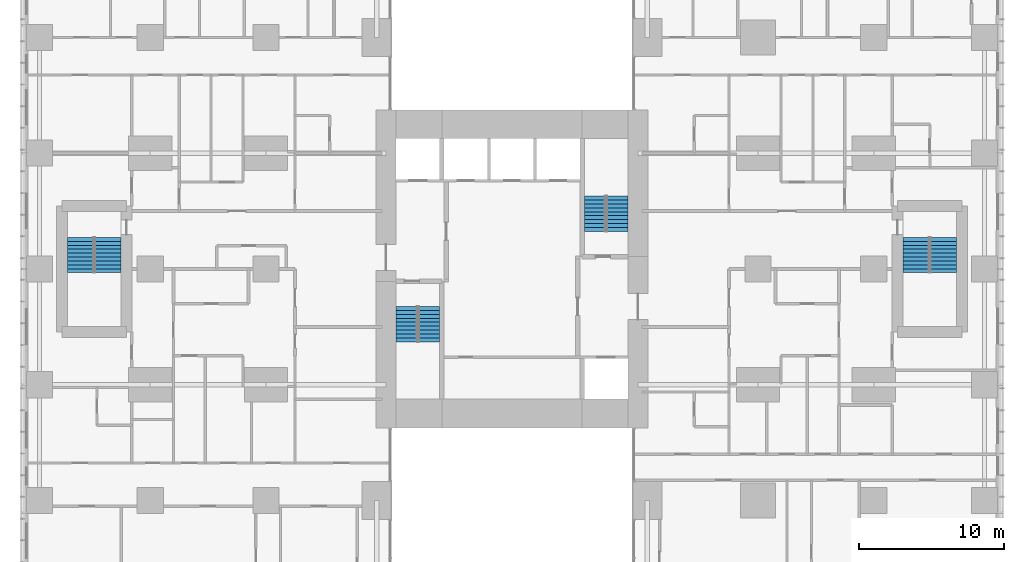
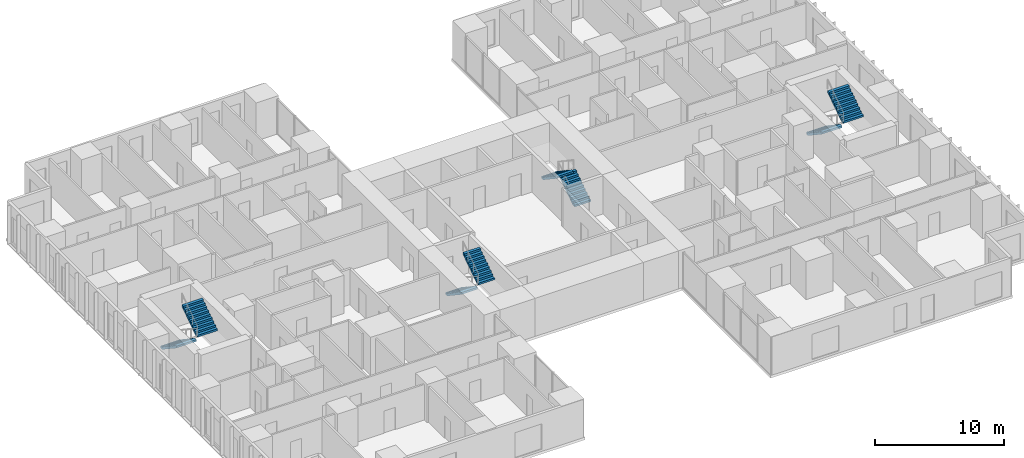
# One storey, part 19 of 20: 8 stair flights, 4 elements without a shape of their own.
"""IFC4 building model written with IfcOpenShell, lengths in metres."""

from ifc_helpers import new_model, si_unit, direction, frame, origin, place, context, subcontext, project, spatial, polyline, outline, extrude, material, type_object, element, aggregate, save


model = new_model("IFC4")

# Units and contexts
model_context = context("Model", 3, precision=1e-05, world=origin(), true_north=direction((0.0, 1.0)))
body_context = subcontext(model_context, "Body", "Model", "MODEL_VIEW")
ifc_project = project(units=[si_unit("LENGTHUNIT", "METRE"), si_unit("AREAUNIT", "SQUARE_METRE"), si_unit("VOLUMEUNIT", "CUBIC_METRE"), si_unit("PLANEANGLEUNIT", "RADIAN"), si_unit("MASSUNIT", "GRAM", prefix="KILO")], contexts=[model_context])

# Site, building, storey
site_placement = place(None, origin())
site = spatial("IfcSite", under=ifc_project, at=site_placement, CompositionType="ELEMENT")
building_placement = place(site_placement, origin())
building = spatial("IfcBuilding", under=site, at=building_placement, Name="Cleftline Residences", CompositionType="ELEMENT")
storey_placement = place(building_placement, frame((0.0, 0.0, 189.39990234375)))
storey = spatial("IfcBuildingStorey", under=building, at=storey_placement, Name="L49", CompositionType="ELEMENT", Elevation=189.39990234375)

# Stair, stair flights
ifc_material_1 = material(Name="Concrete B45, stone treads", Category="masonry")
stair_type_1 = type_object("IfcStairType", Name="STAIR A 1450 WIDE 180 RISER", PredefinedType="HALF_TURN_STAIR", material=ifc_material_1)
stair_1_placement = place(storey_placement, origin())
stair_1 = element("IfcStair", 1, at=stair_1_placement, inside=storey, type_object=stair_type_1, Name="Stair A L49", PredefinedType="HALF_TURN_STAIR")
ifc_material_2 = material(Name="Concrete B45", Category="concrete")
stair_flight_type_1 = type_object("IfcStairFlightType", Name="STAIR A FLIGHT 1450X180", PredefinedType="STRAIGHT", material=ifc_material_2)
stair_flight_1_placement = place(storey_placement, frame((25.72509765625, 21.39990234375, 0.0), z_axis=(0.0, 0.0, 1.0), x_axis=(0.0, -1.0, 0.0)))
stair_flight_1 = element("IfcStairFlight", 2, at=stair_flight_1_placement, type_object=stair_flight_type_1, Name="ST-A flight 1", NumberOfRisers=10, NumberOfTreads=9, PredefinedType="STRAIGHT", RiserHeight=0.18, TreadLength=0.27, context=body_context, shape_type="SweptSolid", body=[
    extrude(outline(polyline([(0.0, 0.0), (0.0, 0.013916015625), (0.0, 0.027587890625), (0.0, 0.04150390625), (0.0, 0.055419921875), (0.0, 0.0693359375), (0.0, 0.0830078125), (0.0, 0.096923828125), (0.0, 0.11083984375), (0.0, 0.12451171875), (0.0, 0.138427734375), (0.0, 0.15234375), (0.0, 0.166259765625), (0.0, 0.179931640625), (0.27001953125, 0.179931640625), (0.27001953125, 0.360107421875), (0.5400390625, 0.360107421875), (0.5400390625, 0.5400390625), (0.81005859375, 0.5400390625), (0.81005859375, 0.719970703125), (1.080078125, 0.719970703125), (1.080078125, 0.89990234375), (1.35009765625, 0.89990234375), (1.35009765625, 1.080078125), (1.6201171875, 1.080078125), (1.6201171875, 1.260009765625), (1.889892578125, 1.260009765625), (1.889892578125, 1.43994140625), (2.159912109375, 1.43994140625), (2.159912109375, 1.6201171875), (2.429931640625, 1.6201171875), (2.429931640625, 1.800048828125), (2.429931640625, 1.772216796875), (2.429931640625, 1.74462890625), (2.429931640625, 1.716796875), (2.429931640625, 1.689208984375), (2.429931640625, 1.661376953125), (2.429931640625, 1.6337890625), (2.429931640625, 1.60595703125), (2.429931640625, 1.578369140625), (2.429931640625, 1.550537109375), (2.429931640625, 1.52294921875), (2.429931640625, 1.495361328125), (2.429931640625, 1.467529296875), (2.429931640625, 1.43994140625), (0.270263671875, 0.0), (0.0, 0.0)])), frame((0.0, 0.72509765625, 0.0), z_axis=(0.0, -1.0, 0.0), x_axis=(1.0, 0.0, 0.0)), (0.0, 0.0, 1.0), 1.449951171875),
])
stair_flight_2_placement = place(storey_placement, frame((27.27490234375, 18.969970703125, 1.800048828125), z_axis=(0.0, 0.0, 1.0), x_axis=(0.0, 1.0, 0.0)))
stair_flight_2 = element("IfcStairFlight", 3, at=stair_flight_2_placement, type_object=stair_flight_type_1, Name="ST-A flight 2", NumberOfRisers=10, NumberOfTreads=9, PredefinedType="STRAIGHT", RiserHeight=0.18, TreadLength=0.27, context=body_context, shape_type="SweptSolid", body=[
    extrude(outline(polyline([(0.0, 0.0), (0.0, 0.013916015625), (0.0, 0.027587890625), (0.0, 0.04150390625), (0.0, 0.055419921875), (0.0, 0.0693359375), (0.0, 0.0830078125), (0.0, 0.096923828125), (0.0, 0.11083984375), (0.0, 0.12451171875), (0.0, 0.138427734375), (0.0, 0.15234375), (0.0, 0.166259765625), (0.0, 0.179931640625), (0.27001953125, 0.179931640625), (0.27001953125, 0.360107421875), (0.5400390625, 0.360107421875), (0.5400390625, 0.5400390625), (0.81005859375, 0.5400390625), (0.81005859375, 0.719970703125), (1.080078125, 0.719970703125), (1.080078125, 0.89990234375), (1.35009765625, 0.89990234375), (1.35009765625, 1.080078125), (1.6201171875, 1.080078125), (1.6201171875, 1.260009765625), (1.889892578125, 1.260009765625), (1.889892578125, 1.43994140625), (2.159912109375, 1.43994140625), (2.159912109375, 1.6201171875), (2.429931640625, 1.6201171875), (2.429931640625, 1.800048828125), (2.429931640625, 1.772216796875), (2.429931640625, 1.74462890625), (2.429931640625, 1.716796875), (2.429931640625, 1.689208984375), (2.429931640625, 1.661376953125), (2.429931640625, 1.6337890625), (2.429931640625, 1.60595703125), (2.429931640625, 1.578369140625), (2.429931640625, 1.550537109375), (2.429931640625, 1.52294921875), (2.429931640625, 1.495361328125), (2.429931640625, 1.467529296875), (2.429931640625, 1.43994140625), (0.270263671875, 0.0), (0.0, 0.0)])), frame((0.0, 0.72509765625, 0.0), z_axis=(0.0, -1.0, 0.0), x_axis=(1.0, 0.0, 0.0)), (0.0, 0.0, 1.0), 1.449951171875),
])
aggregate(stair_1, [stair_flight_1, stair_flight_2])

ifc_material_3 = material(Name="Concrete B45, stone treads", Category="masonry")
stair_type_2 = type_object("IfcStairType", Name="STAIR B 1450 WIDE 180 RISER", PredefinedType="HALF_TURN_STAIR", material=ifc_material_3)
stair_2_placement = place(storey_placement, origin())
stair_2 = element("IfcStair", 4, at=stair_2_placement, inside=storey, type_object=stair_type_2, Name="Stair B L49", PredefinedType="HALF_TURN_STAIR")
ifc_material_4 = material(Name="Concrete B45", Category="concrete")
stair_flight_type_2 = type_object("IfcStairFlightType", Name="STAIR B FLIGHT 1450X180", PredefinedType="STRAIGHT", material=ifc_material_4)
stair_flight_3_placement = place(storey_placement, frame((40.27490234375, 26.60009765625, 0.0), z_axis=(0.0, 0.0, 1.0), x_axis=(0.0, 1.0, 0.0)))
stair_flight_3 = element("IfcStairFlight", 5, at=stair_flight_3_placement, type_object=stair_flight_type_2, Name="ST-B flight 1", NumberOfRisers=10, NumberOfTreads=9, PredefinedType="STRAIGHT", RiserHeight=0.18, TreadLength=0.27, context=body_context, shape_type="SweptSolid", body=[
    extrude(outline(polyline([(0.0, 0.0), (0.0, 0.013916015625), (0.0, 0.027587890625), (0.0, 0.04150390625), (0.0, 0.055419921875), (0.0, 0.0693359375), (0.0, 0.0830078125), (0.0, 0.096923828125), (0.0, 0.11083984375), (0.0, 0.12451171875), (0.0, 0.138427734375), (0.0, 0.15234375), (0.0, 0.166259765625), (0.0, 0.179931640625), (0.27001953125, 0.179931640625), (0.27001953125, 0.360107421875), (0.5400390625, 0.360107421875), (0.5400390625, 0.5400390625), (0.81005859375, 0.5400390625), (0.81005859375, 0.719970703125), (1.080078125, 0.719970703125), (1.080078125, 0.89990234375), (1.35009765625, 0.89990234375), (1.35009765625, 1.080078125), (1.6201171875, 1.080078125), (1.6201171875, 1.260009765625), (1.889892578125, 1.260009765625), (1.889892578125, 1.43994140625), (2.159912109375, 1.43994140625), (2.159912109375, 1.6201171875), (2.429931640625, 1.6201171875), (2.429931640625, 1.800048828125), (2.429931640625, 1.772216796875), (2.429931640625, 1.74462890625), (2.429931640625, 1.716796875), (2.429931640625, 1.689208984375), (2.429931640625, 1.661376953125), (2.429931640625, 1.6337890625), (2.429931640625, 1.60595703125), (2.429931640625, 1.578369140625), (2.429931640625, 1.550537109375), (2.429931640625, 1.52294921875), (2.429931640625, 1.495361328125), (2.429931640625, 1.467529296875), (2.429931640625, 1.43994140625), (0.270263671875, 0.0), (0.0, 0.0)])), frame((0.0, 0.72509765625, 0.0), z_axis=(0.0, -1.0, 0.0), x_axis=(1.0, 0.0, 0.0)), (0.0, 0.0, 1.0), 1.449951171875),
])
stair_flight_4_placement = place(storey_placement, frame((38.72509765625, 29.030029296875, 1.800048828125), z_axis=(0.0, 0.0, 1.0), x_axis=(0.0, -1.0, 0.0)))
stair_flight_4 = element("IfcStairFlight", 6, at=stair_flight_4_placement, type_object=stair_flight_type_2, Name="ST-B flight 2", NumberOfRisers=10, NumberOfTreads=9, PredefinedType="STRAIGHT", RiserHeight=0.18, TreadLength=0.27, context=body_context, shape_type="SweptSolid", body=[
    extrude(outline(polyline([(0.0, 0.0), (0.0, 0.013916015625), (0.0, 0.027587890625), (0.0, 0.04150390625), (0.0, 0.055419921875), (0.0, 0.0693359375), (0.0, 0.0830078125), (0.0, 0.096923828125), (0.0, 0.11083984375), (0.0, 0.12451171875), (0.0, 0.138427734375), (0.0, 0.15234375), (0.0, 0.166259765625), (0.0, 0.179931640625), (0.27001953125, 0.179931640625), (0.27001953125, 0.360107421875), (0.5400390625, 0.360107421875), (0.5400390625, 0.5400390625), (0.81005859375, 0.5400390625), (0.81005859375, 0.719970703125), (1.080078125, 0.719970703125), (1.080078125, 0.89990234375), (1.35009765625, 0.89990234375), (1.35009765625, 1.080078125), (1.6201171875, 1.080078125), (1.6201171875, 1.260009765625), (1.889892578125, 1.260009765625), (1.889892578125, 1.43994140625), (2.159912109375, 1.43994140625), (2.159912109375, 1.6201171875), (2.429931640625, 1.6201171875), (2.429931640625, 1.800048828125), (2.429931640625, 1.772216796875), (2.429931640625, 1.74462890625), (2.429931640625, 1.716796875), (2.429931640625, 1.689208984375), (2.429931640625, 1.661376953125), (2.429931640625, 1.6337890625), (2.429931640625, 1.60595703125), (2.429931640625, 1.578369140625), (2.429931640625, 1.550537109375), (2.429931640625, 1.52294921875), (2.429931640625, 1.495361328125), (2.429931640625, 1.467529296875), (2.429931640625, 1.43994140625), (0.270263671875, 0.0), (0.0, 0.0)])), frame((0.0, 0.72509765625, 0.0), z_axis=(0.0, -1.0, 0.0), x_axis=(1.0, 0.0, 0.0)), (0.0, 0.0, 1.0), 1.449951171875),
])
aggregate(stair_2, [stair_flight_3, stair_flight_4])

ifc_material_5 = material(Name="Concrete B45, stone treads", Category="masonry")
stair_type_3 = type_object("IfcStairType", Name="STAIR E 1800 WIDE 180 RISER", PredefinedType="HALF_TURN_STAIR", material=ifc_material_5)
stair_3_placement = place(storey_placement, origin())
stair_3 = element("IfcStair", 7, at=stair_3_placement, inside=storey, type_object=stair_type_3, Name="Stair E L49", PredefinedType="HALF_TURN_STAIR")
ifc_material_6 = material(Name="Concrete B45", Category="concrete")
stair_flight_type_3 = type_object("IfcStairFlightType", Name="STAIR E FLIGHT 1800X180", PredefinedType="STRAIGHT", material=ifc_material_6)
stair_flight_5_placement = place(storey_placement, frame((60.925048828125, 26.175048828125, 0.0), z_axis=(0.0, 0.0, 1.0), x_axis=(0.0, -1.0, 0.0)))
stair_flight_5 = element("IfcStairFlight", 8, at=stair_flight_5_placement, type_object=stair_flight_type_3, Name="ST-E flight 1", NumberOfRisers=10, NumberOfTreads=9, PredefinedType="STRAIGHT", RiserHeight=0.18, TreadLength=0.27, context=body_context, shape_type="SweptSolid", body=[
    extrude(outline(polyline([(0.0, 0.0), (0.0, 0.013916015625), (0.0, 0.027587890625), (0.0, 0.04150390625), (0.0, 0.055419921875), (0.0, 0.0693359375), (0.0, 0.0830078125), (0.0, 0.096923828125), (0.0, 0.11083984375), (0.0, 0.12451171875), (0.0, 0.138427734375), (0.0, 0.15234375), (0.0, 0.166259765625), (0.0, 0.179931640625), (0.27001953125, 0.179931640625), (0.27001953125, 0.360107421875), (0.5400390625, 0.360107421875), (0.5400390625, 0.5400390625), (0.81005859375, 0.5400390625), (0.81005859375, 0.719970703125), (1.080078125, 0.719970703125), (1.080078125, 0.89990234375), (1.35009765625, 0.89990234375), (1.35009765625, 1.080078125), (1.6201171875, 1.080078125), (1.6201171875, 1.260009765625), (1.889892578125, 1.260009765625), (1.889892578125, 1.43994140625), (2.159912109375, 1.43994140625), (2.159912109375, 1.6201171875), (2.429931640625, 1.6201171875), (2.429931640625, 1.800048828125), (2.429931640625, 1.772216796875), (2.429931640625, 1.74462890625), (2.429931640625, 1.716796875), (2.429931640625, 1.689208984375), (2.429931640625, 1.661376953125), (2.429931640625, 1.6337890625), (2.429931640625, 1.60595703125), (2.429931640625, 1.578369140625), (2.429931640625, 1.550537109375), (2.429931640625, 1.52294921875), (2.429931640625, 1.495361328125), (2.429931640625, 1.467529296875), (2.429931640625, 1.43994140625), (0.270263671875, 0.0), (0.0, 0.0)])), frame((0.0, 0.89990234375, 0.0), z_axis=(0.0, -1.0, 0.0), x_axis=(1.0, 0.0, 0.0)), (0.0, 0.0, 1.0), 1.800048828125),
])
stair_flight_6_placement = place(storey_placement, frame((62.824951171875, 23.7451171875, 1.800048828125), z_axis=(0.0, 0.0, 1.0), x_axis=(0.0, 1.0, 0.0)))
stair_flight_6 = element("IfcStairFlight", 9, at=stair_flight_6_placement, type_object=stair_flight_type_3, Name="ST-E flight 2", NumberOfRisers=10, NumberOfTreads=9, PredefinedType="STRAIGHT", RiserHeight=0.18, TreadLength=0.27, context=body_context, shape_type="SweptSolid", body=[
    extrude(outline(polyline([(0.0, 0.0), (0.0, 0.013916015625), (0.0, 0.027587890625), (0.0, 0.04150390625), (0.0, 0.055419921875), (0.0, 0.0693359375), (0.0, 0.0830078125), (0.0, 0.096923828125), (0.0, 0.11083984375), (0.0, 0.12451171875), (0.0, 0.138427734375), (0.0, 0.15234375), (0.0, 0.166259765625), (0.0, 0.179931640625), (0.27001953125, 0.179931640625), (0.27001953125, 0.360107421875), (0.5400390625, 0.360107421875), (0.5400390625, 0.5400390625), (0.81005859375, 0.5400390625), (0.81005859375, 0.719970703125), (1.080078125, 0.719970703125), (1.080078125, 0.89990234375), (1.35009765625, 0.89990234375), (1.35009765625, 1.080078125), (1.6201171875, 1.080078125), (1.6201171875, 1.260009765625), (1.889892578125, 1.260009765625), (1.889892578125, 1.43994140625), (2.159912109375, 1.43994140625), (2.159912109375, 1.6201171875), (2.429931640625, 1.6201171875), (2.429931640625, 1.800048828125), (2.429931640625, 1.772216796875), (2.429931640625, 1.74462890625), (2.429931640625, 1.716796875), (2.429931640625, 1.689208984375), (2.429931640625, 1.661376953125), (2.429931640625, 1.6337890625), (2.429931640625, 1.60595703125), (2.429931640625, 1.578369140625), (2.429931640625, 1.550537109375), (2.429931640625, 1.52294921875), (2.429931640625, 1.495361328125), (2.429931640625, 1.467529296875), (2.429931640625, 1.43994140625), (0.270263671875, 0.0), (0.0, 0.0)])), frame((0.0, 0.89990234375, 0.0), z_axis=(0.0, -1.0, 0.0), x_axis=(1.0, 0.0, 0.0)), (0.0, 0.0, 1.0), 1.800048828125),
])
aggregate(stair_3, [stair_flight_5, stair_flight_6])

ifc_material_7 = material(Name="Concrete B45, stone treads", Category="masonry")
stair_type_4 = type_object("IfcStairType", Name="STAIR W 1800 WIDE 180 RISER", PredefinedType="HALF_TURN_STAIR", material=ifc_material_7)
stair_4_placement = place(storey_placement, origin())
stair_4 = element("IfcStair", 10, at=stair_4_placement, inside=storey, type_object=stair_type_4, Name="Stair W L49", PredefinedType="HALF_TURN_STAIR")
ifc_material_8 = material(Name="Concrete B45", Category="concrete")
stair_flight_type_4 = type_object("IfcStairFlightType", Name="STAIR W FLIGHT 1800X180", PredefinedType="STRAIGHT", material=ifc_material_8)
stair_flight_7_placement = place(storey_placement, frame((3.175048828125, 26.175048828125, 0.0), z_axis=(0.0, 0.0, 1.0), x_axis=(0.0, -1.0, 0.0)))
stair_flight_7 = element("IfcStairFlight", 11, at=stair_flight_7_placement, type_object=stair_flight_type_4, Name="ST-W flight 1", NumberOfRisers=10, NumberOfTreads=9, PredefinedType="STRAIGHT", RiserHeight=0.18, TreadLength=0.27, context=body_context, shape_type="SweptSolid", body=[
    extrude(outline(polyline([(0.0, 0.0), (0.0, 0.013916015625), (0.0, 0.027587890625), (0.0, 0.04150390625), (0.0, 0.055419921875), (0.0, 0.0693359375), (0.0, 0.0830078125), (0.0, 0.096923828125), (0.0, 0.11083984375), (0.0, 0.12451171875), (0.0, 0.138427734375), (0.0, 0.15234375), (0.0, 0.166259765625), (0.0, 0.179931640625), (0.27001953125, 0.179931640625), (0.27001953125, 0.360107421875), (0.5400390625, 0.360107421875), (0.5400390625, 0.5400390625), (0.81005859375, 0.5400390625), (0.81005859375, 0.719970703125), (1.080078125, 0.719970703125), (1.080078125, 0.89990234375), (1.35009765625, 0.89990234375), (1.35009765625, 1.080078125), (1.6201171875, 1.080078125), (1.6201171875, 1.260009765625), (1.889892578125, 1.260009765625), (1.889892578125, 1.43994140625), (2.159912109375, 1.43994140625), (2.159912109375, 1.6201171875), (2.429931640625, 1.6201171875), (2.429931640625, 1.800048828125), (2.429931640625, 1.772216796875), (2.429931640625, 1.74462890625), (2.429931640625, 1.716796875), (2.429931640625, 1.689208984375), (2.429931640625, 1.661376953125), (2.429931640625, 1.6337890625), (2.429931640625, 1.60595703125), (2.429931640625, 1.578369140625), (2.429931640625, 1.550537109375), (2.429931640625, 1.52294921875), (2.429931640625, 1.495361328125), (2.429931640625, 1.467529296875), (2.429931640625, 1.43994140625), (0.270263671875, 0.0), (0.0, 0.0)])), frame((0.0, 0.89990234375, 0.0), z_axis=(0.0, -1.0, 0.0), x_axis=(1.0, 0.0, 0.0)), (0.0, 0.0, 1.0), 1.800048828125),
])
stair_flight_8_placement = place(storey_placement, frame((5.074951171875, 23.7451171875, 1.800048828125), z_axis=(0.0, 0.0, 1.0), x_axis=(0.0, 1.0, 0.0)))
stair_flight_8 = element("IfcStairFlight", 12, at=stair_flight_8_placement, type_object=stair_flight_type_4, Name="ST-W flight 2", NumberOfRisers=10, NumberOfTreads=9, PredefinedType="STRAIGHT", RiserHeight=0.18, TreadLength=0.27, context=body_context, shape_type="SweptSolid", body=[
    extrude(outline(polyline([(0.0, 0.0), (0.0, 0.013916015625), (0.0, 0.027587890625), (0.0, 0.04150390625), (0.0, 0.055419921875), (0.0, 0.0693359375), (0.0, 0.0830078125), (0.0, 0.096923828125), (0.0, 0.11083984375), (0.0, 0.12451171875), (0.0, 0.138427734375), (0.0, 0.15234375), (0.0, 0.166259765625), (0.0, 0.179931640625), (0.27001953125, 0.179931640625), (0.27001953125, 0.360107421875), (0.5400390625, 0.360107421875), (0.5400390625, 0.5400390625), (0.81005859375, 0.5400390625), (0.81005859375, 0.719970703125), (1.080078125, 0.719970703125), (1.080078125, 0.89990234375), (1.35009765625, 0.89990234375), (1.35009765625, 1.080078125), (1.6201171875, 1.080078125), (1.6201171875, 1.260009765625), (1.889892578125, 1.260009765625), (1.889892578125, 1.43994140625), (2.159912109375, 1.43994140625), (2.159912109375, 1.6201171875), (2.429931640625, 1.6201171875), (2.429931640625, 1.800048828125), (2.429931640625, 1.772216796875), (2.429931640625, 1.74462890625), (2.429931640625, 1.716796875), (2.429931640625, 1.689208984375), (2.429931640625, 1.661376953125), (2.429931640625, 1.6337890625), (2.429931640625, 1.60595703125), (2.429931640625, 1.578369140625), (2.429931640625, 1.550537109375), (2.429931640625, 1.52294921875), (2.429931640625, 1.495361328125), (2.429931640625, 1.467529296875), (2.429931640625, 1.43994140625), (0.270263671875, 0.0), (0.0, 0.0)])), frame((0.0, 0.89990234375, 0.0), z_axis=(0.0, -1.0, 0.0), x_axis=(1.0, 0.0, 0.0)), (0.0, 0.0, 1.0), 1.800048828125),
])
aggregate(stair_4, [stair_flight_7, stair_flight_8])

save(model, "model.ifc")
